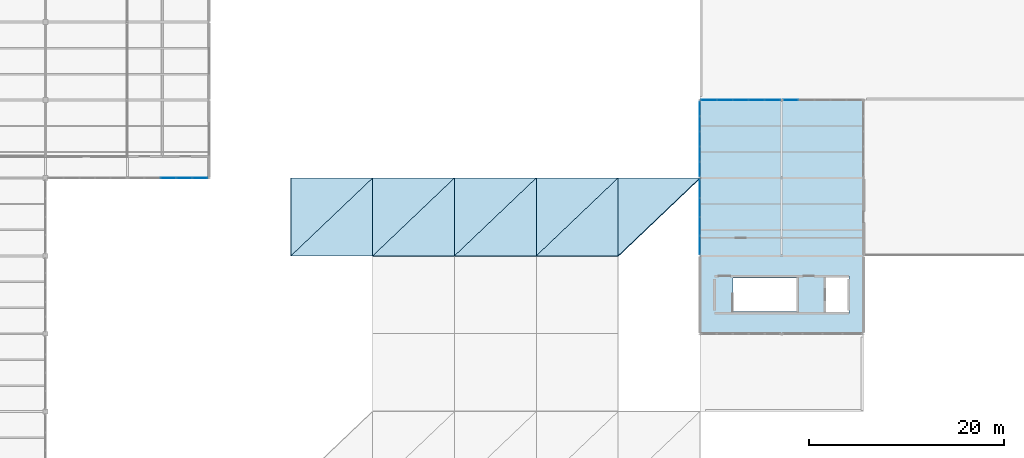
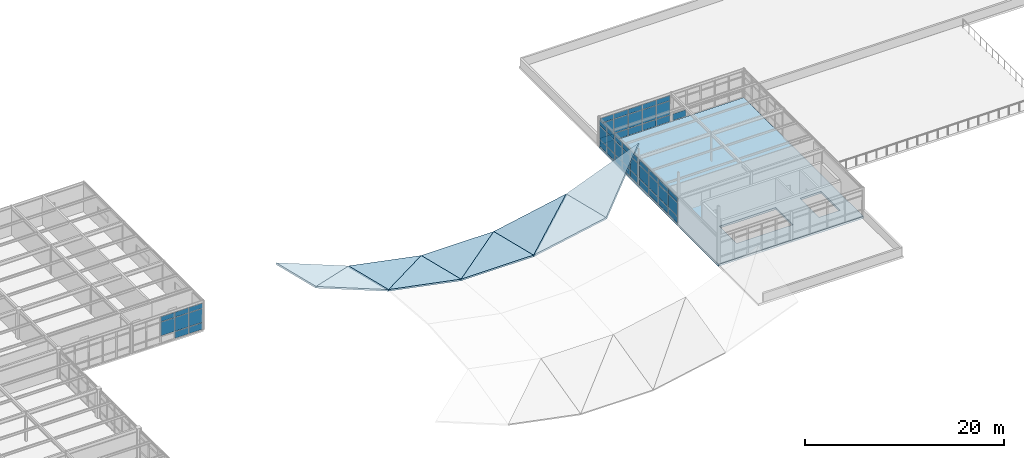
# One storey, part 21 of 32: 51 plates, 10 slabs, 5 elements without a shape of their own.
"""IFC4 building model written with IfcOpenShell, lengths in metres."""

from ifc_helpers import new_model, si_unit, direction, frame, origin, origin_2d, place, context, subcontext, project, spatial, polyline, rectangle, outline, extrude, material, layer, layer_set, type_object, element, aggregate, save


model = new_model("IFC4")

# Units and contexts
model_context = context("Model", 3, precision=1e-05, world=origin(), true_north=direction((0.0, 1.0)))
body_context = subcontext(model_context, "Body", "Model", "MODEL_VIEW")
ifc_project = project(units=[si_unit("LENGTHUNIT", "METRE"), si_unit("AREAUNIT", "SQUARE_METRE"), si_unit("VOLUMEUNIT", "CUBIC_METRE"), si_unit("PLANEANGLEUNIT", "RADIAN"), si_unit("MASSUNIT", "GRAM", prefix="KILO")], contexts=[model_context])

# Site, building, storey
site_placement = place(None, origin())
site = spatial("IfcSite", under=ifc_project, at=site_placement, CompositionType="ELEMENT")
building_placement = place(site_placement, origin())
building = spatial("IfcBuilding", under=site, at=building_placement, Name="Kranzveld Transit Interchange", CompositionType="ELEMENT")
storey_placement = place(building_placement, frame((0.0, 0.0, 17.199951171875)))
storey = spatial("IfcBuildingStorey", under=building, at=storey_placement, Name="L04", CompositionType="ELEMENT", Elevation=17.199951171875)

# Slab
ifc_material_1 = material(Name="Concrete C35/45", Category="concrete")
ifc_layer_1 = layer(ifc_material_1, 0.260009765625)
ifc_layer_set_1 = layer_set([ifc_layer_1], Name="Concrete C35/45")
slab_type_1 = type_object("IfcSlabType", Name="Composite Floor Slab 260 C35/45", PredefinedType="FLOOR", material=ifc_layer_set_1)
slab_1_placement = place(storey_placement, frame((0.0, 0.0, -0.260009765625)))
element("IfcSlab", 1, at=slab_1_placement, inside=storey, type_object=slab_type_1, Name="L04 Suspended Floor Slab 2", PredefinedType="FLOOR", context=body_context, shape_type="SweptSolid", body=[
    extrude(outline(polyline([(117.60009765625, 96.0), (117.60009765625, 72.0), (100.800048828125, 72.0), (100.800048828125, 96.0), (117.60009765625, 96.0)]), holes=[polyline([(110.75, 77.72998046875), (104.218017578125, 77.72998046875), (104.218017578125, 74.27001953125), (110.75, 74.27001953125), (110.75, 77.72998046875)]), polyline([(113.64990234375, 74.090087890625), (116.10009765625, 74.090087890625), (116.10009765625, 77.909912109375), (113.64990234375, 77.909912109375), (113.64990234375, 74.090087890625)])]), origin(), (0.0, 0.0, 1.0), 0.260009765625),
])

# Curtain wall, plates
ifc_material_2 = material(Name="Bronze-anodised thermally broken aluminium", Category="aluminium")
ifc_layer_2 = layer(ifc_material_2, 0.1650390625)
ifc_layer_set_2 = layer_set([ifc_layer_2], Name="Bronze-anodised thermally broken aluminium")
curtain_wall_type_1 = type_object("IfcCurtainWallType", Name="Sunny Court Arcade Curtain Wall CW-2", PredefinedType="USERDEFINED", material=ifc_layer_set_2)
curtain_wall_1_placement = place(storey_placement, origin())
curtain_wall_1 = element("IfcCurtainWall", 2, at=curtain_wall_1_placement, inside=storey, type_object=curtain_wall_type_1, Name="L04 Curtain Wall 13/M-13/N", ObjectType="CURTAIN WALL", PredefinedType="USERDEFINED")
ifc_material_3 = material(Name="Solar-control double glazing", Category="glass")
ifc_layer_3 = layer(ifc_material_3, 0.02392578125)
ifc_layer_set_3 = layer_set([ifc_layer_3], Name="Solar-control double glazing")
plate_type_1 = type_object("IfcPlateType", Name="Curtain Panel Clear Glazing 24", PredefinedType="CURTAIN_PANEL", material=ifc_layer_set_3)
plate_1_placement = place(storey_placement, frame((100.800048828125, 88.900146484375, 0.06005859375), z_axis=(0.0, 0.0, 1.0), x_axis=(0.0, 1.0, 0.0)))
plate_1 = element("IfcPlate", 3, at=plate_1_placement, type_object=plate_type_1, Name="CW-2 panel 1.1", PredefinedType="CURTAIN_PANEL", context=body_context, shape_type="SweptSolid", body=[
    extrude(rectangle(XDim=1.460693359375, YDim=0.02392578125, at=origin_2d()), origin(), (0.0, 0.0, 1.0), 0.81005859375),
])
plate_2_placement = place(storey_placement, frame((100.800048828125, 88.900146484375, 0.93017578125), z_axis=(0.0, 0.0, 1.0), x_axis=(0.0, 1.0, 0.0)))
plate_2 = element("IfcPlate", 4, at=plate_2_placement, type_object=plate_type_1, Name="CW-2 panel 1.2", PredefinedType="CURTAIN_PANEL", context=body_context, shape_type="SweptSolid", body=[
    extrude(rectangle(XDim=1.460693359375, YDim=0.02392578125, at=origin_2d()), origin(), (0.0, 0.0, 1.0), 1.6298828125),
])
plate_3_placement = place(storey_placement, frame((100.800048828125, 88.900146484375, 2.6201171875), z_axis=(0.0, 0.0, 1.0), x_axis=(0.0, 1.0, 0.0)))
plate_3 = element("IfcPlate", 5, at=plate_3_placement, type_object=plate_type_1, Name="CW-2 panel 1.3", PredefinedType="CURTAIN_PANEL", context=body_context, shape_type="SweptSolid", body=[
    extrude(rectangle(XDim=1.460693359375, YDim=0.02392578125, at=origin_2d()), origin(), (0.0, 0.0, 1.0), 0.610107421875),
])
plate_4_placement = place(storey_placement, frame((100.800048828125, 90.44189453125, 0.06005859375), z_axis=(0.0, 0.0, 1.0), x_axis=(0.0, 1.0, 0.0)))
plate_4 = element("IfcPlate", 6, at=plate_4_placement, type_object=plate_type_1, Name="CW-2 panel 2.1", PredefinedType="CURTAIN_PANEL", context=body_context, shape_type="SweptSolid", body=[
    extrude(rectangle(XDim=1.4931640625, YDim=0.02392578125, at=origin_2d()), origin(), (0.0, 0.0, 1.0), 0.81005859375),
])
plate_5_placement = place(storey_placement, frame((100.800048828125, 90.44189453125, 0.93017578125), z_axis=(0.0, 0.0, 1.0), x_axis=(0.0, 1.0, 0.0)))
plate_5 = element("IfcPlate", 7, at=plate_5_placement, type_object=plate_type_1, Name="CW-2 panel 2.2", PredefinedType="CURTAIN_PANEL", context=body_context, shape_type="SweptSolid", body=[
    extrude(rectangle(XDim=1.4931640625, YDim=0.02392578125, at=origin_2d()), origin(), (0.0, 0.0, 1.0), 1.6298828125),
])
plate_6_placement = place(storey_placement, frame((100.800048828125, 90.44189453125, 2.6201171875), z_axis=(0.0, 0.0, 1.0), x_axis=(0.0, 1.0, 0.0)))
plate_6 = element("IfcPlate", 8, at=plate_6_placement, type_object=plate_type_1, Name="CW-2 panel 2.3", PredefinedType="CURTAIN_PANEL", context=body_context, shape_type="SweptSolid", body=[
    extrude(rectangle(XDim=1.4931640625, YDim=0.02392578125, at=origin_2d()), origin(), (0.0, 0.0, 1.0), 0.610107421875),
])
plate_7_placement = place(storey_placement, frame((100.800048828125, 92.0, 0.06005859375), z_axis=(0.0, 0.0, 1.0), x_axis=(0.0, 1.0, 0.0)))
plate_7 = element("IfcPlate", 9, at=plate_7_placement, type_object=plate_type_1, Name="CW-2 panel 3.1", PredefinedType="CURTAIN_PANEL", context=body_context, shape_type="SweptSolid", body=[
    extrude(rectangle(XDim=1.4931640625, YDim=0.02392578125, at=origin_2d()), origin(), (0.0, 0.0, 1.0), 0.81005859375),
])
plate_8_placement = place(storey_placement, frame((100.800048828125, 92.0, 0.93017578125), z_axis=(0.0, 0.0, 1.0), x_axis=(0.0, 1.0, 0.0)))
plate_8 = element("IfcPlate", 10, at=plate_8_placement, type_object=plate_type_1, Name="CW-2 panel 3.2", PredefinedType="CURTAIN_PANEL", context=body_context, shape_type="SweptSolid", body=[
    extrude(rectangle(XDim=1.4931640625, YDim=0.02392578125, at=origin_2d()), origin(), (0.0, 0.0, 1.0), 1.6298828125),
])
plate_9_placement = place(storey_placement, frame((100.800048828125, 92.0, 2.6201171875), z_axis=(0.0, 0.0, 1.0), x_axis=(0.0, 1.0, 0.0)))
plate_9 = element("IfcPlate", 11, at=plate_9_placement, type_object=plate_type_1, Name="CW-2 panel 3.3", PredefinedType="CURTAIN_PANEL", context=body_context, shape_type="SweptSolid", body=[
    extrude(rectangle(XDim=1.4931640625, YDim=0.02392578125, at=origin_2d()), origin(), (0.0, 0.0, 1.0), 0.610107421875),
])
plate_10_placement = place(storey_placement, frame((100.800048828125, 93.55810546875, 0.06005859375), z_axis=(0.0, 0.0, 1.0), x_axis=(0.0, 1.0, 0.0)))
plate_10 = element("IfcPlate", 12, at=plate_10_placement, type_object=plate_type_1, Name="CW-2 panel 4.1", PredefinedType="CURTAIN_PANEL", context=body_context, shape_type="SweptSolid", body=[
    extrude(rectangle(XDim=1.4931640625, YDim=0.02392578125, at=origin_2d()), origin(), (0.0, 0.0, 1.0), 0.81005859375),
])
plate_11_placement = place(storey_placement, frame((100.800048828125, 93.55810546875, 0.93017578125), z_axis=(0.0, 0.0, 1.0), x_axis=(0.0, 1.0, 0.0)))
plate_11 = element("IfcPlate", 13, at=plate_11_placement, type_object=plate_type_1, Name="CW-2 panel 4.2", PredefinedType="CURTAIN_PANEL", context=body_context, shape_type="SweptSolid", body=[
    extrude(rectangle(XDim=1.4931640625, YDim=0.02392578125, at=origin_2d()), origin(), (0.0, 0.0, 1.0), 1.6298828125),
])
plate_12_placement = place(storey_placement, frame((100.800048828125, 93.55810546875, 2.6201171875), z_axis=(0.0, 0.0, 1.0), x_axis=(0.0, 1.0, 0.0)))
plate_12 = element("IfcPlate", 14, at=plate_12_placement, type_object=plate_type_1, Name="CW-2 panel 4.3", PredefinedType="CURTAIN_PANEL", context=body_context, shape_type="SweptSolid", body=[
    extrude(rectangle(XDim=1.4931640625, YDim=0.02392578125, at=origin_2d()), origin(), (0.0, 0.0, 1.0), 0.610107421875),
])
plate_13_placement = place(storey_placement, frame((100.800048828125, 95.099853515625, 0.06005859375), z_axis=(0.0, 0.0, 1.0), x_axis=(0.0, 1.0, 0.0)))
plate_13 = element("IfcPlate", 15, at=plate_13_placement, type_object=plate_type_1, Name="CW-2 panel 5.1", PredefinedType="CURTAIN_PANEL", context=body_context, shape_type="SweptSolid", body=[
    extrude(rectangle(XDim=1.460693359375, YDim=0.02392578125, at=origin_2d()), origin(), (0.0, 0.0, 1.0), 0.81005859375),
])
plate_14_placement = place(storey_placement, frame((100.800048828125, 95.099853515625, 0.93017578125), z_axis=(0.0, 0.0, 1.0), x_axis=(0.0, 1.0, 0.0)))
plate_14 = element("IfcPlate", 16, at=plate_14_placement, type_object=plate_type_1, Name="CW-2 panel 5.2", PredefinedType="CURTAIN_PANEL", context=body_context, shape_type="SweptSolid", body=[
    extrude(rectangle(XDim=1.460693359375, YDim=0.02392578125, at=origin_2d()), origin(), (0.0, 0.0, 1.0), 1.6298828125),
])
plate_15_placement = place(storey_placement, frame((100.800048828125, 95.099853515625, 2.6201171875), z_axis=(0.0, 0.0, 1.0), x_axis=(0.0, 1.0, 0.0)))
plate_15 = element("IfcPlate", 17, at=plate_15_placement, type_object=plate_type_1, Name="CW-2 panel 5.3", PredefinedType="CURTAIN_PANEL", context=body_context, shape_type="SweptSolid", body=[
    extrude(rectangle(XDim=1.460693359375, YDim=0.02392578125, at=origin_2d()), origin(), (0.0, 0.0, 1.0), 0.610107421875),
])
aggregate(curtain_wall_1, [plate_1, plate_2, plate_3, plate_4, plate_5, plate_6, plate_7, plate_8, plate_9, plate_10, plate_11, plate_12, plate_13, plate_14, plate_15])

ifc_material_4 = material(Name="Bronze-anodised thermally broken aluminium", Category="aluminium")
ifc_layer_4 = layer(ifc_material_4, 0.179931640625)
ifc_layer_set_4 = layer_set([ifc_layer_4], Name="Bronze-anodised thermally broken aluminium")
curtain_wall_type_2 = type_object("IfcCurtainWallType", Name="Concourse Unitised Curtain Wall CW-1", PredefinedType="USERDEFINED", material=ifc_layer_set_4)
curtain_wall_2_placement = place(storey_placement, origin())
curtain_wall_2 = element("IfcCurtainWall", 18, at=curtain_wall_2_placement, inside=storey, type_object=curtain_wall_type_2, Name="L04 Curtain Wall 13/L-13/M", ObjectType="CURTAIN WALL", PredefinedType="USERDEFINED")
ifc_material_5 = material(Name="Solar-control double glazing", Category="glass")
ifc_layer_5 = layer(ifc_material_5, 0.028076171875)
ifc_layer_set_5 = layer_set([ifc_layer_5], Name="Solar-control double glazing")
plate_type_2 = type_object("IfcPlateType", Name="Curtain Panel Double Glazing 28", PredefinedType="CURTAIN_PANEL", material=ifc_layer_set_5)
plate_16_placement = place(storey_placement, frame((100.800048828125, 81.094970703125, 0.06494140625), z_axis=(0.0, 0.0, 1.0), x_axis=(0.0, 1.0, 0.0)))
plate_16 = element("IfcPlate", 19, at=plate_16_placement, type_object=plate_type_2, Name="CW-1 panel 1.1", PredefinedType="CURTAIN_PANEL", context=body_context, shape_type="SweptSolid", body=[
    extrude(rectangle(XDim=1.85009765625, YDim=0.028076171875, at=origin_2d()), origin(), (0.0, 0.0, 1.0), 0.802490234375),
])
plate_17_placement = place(storey_placement, frame((100.800048828125, 81.094970703125, 0.9326171875), z_axis=(0.0, 0.0, 1.0), x_axis=(0.0, 1.0, 0.0)))
plate_17 = element("IfcPlate", 20, at=plate_17_placement, type_object=plate_type_2, Name="CW-1 panel 1.2", PredefinedType="CURTAIN_PANEL", context=body_context, shape_type="SweptSolid", body=[
    extrude(rectangle(XDim=1.85009765625, YDim=0.028076171875, at=origin_2d()), origin(), (0.0, 0.0, 1.0), 1.625),
])
plate_18_placement = place(storey_placement, frame((100.800048828125, 81.094970703125, 2.62255859375), z_axis=(0.0, 0.0, 1.0), x_axis=(0.0, 1.0, 0.0)))
plate_18 = element("IfcPlate", 21, at=plate_18_placement, type_object=plate_type_2, Name="CW-1 panel 1.3", PredefinedType="CURTAIN_PANEL", context=body_context, shape_type="SweptSolid", body=[
    extrude(rectangle(XDim=1.85009765625, YDim=0.028076171875, at=origin_2d()), origin(), (0.0, 0.0, 1.0), 0.6025390625),
])
plate_19_placement = place(storey_placement, frame((100.800048828125, 83.026123046875, 0.06494140625), z_axis=(0.0, 0.0, 1.0), x_axis=(0.0, 1.0, 0.0)))
plate_19 = element("IfcPlate", 22, at=plate_19_placement, type_object=plate_type_2, Name="CW-1 panel 2.1", PredefinedType="CURTAIN_PANEL", context=body_context, shape_type="SweptSolid", body=[
    extrude(rectangle(XDim=1.882568359375, YDim=0.028076171875, at=origin_2d()), origin(), (0.0, 0.0, 1.0), 0.802490234375),
])
plate_20_placement = place(storey_placement, frame((100.800048828125, 83.026123046875, 0.9326171875), z_axis=(0.0, 0.0, 1.0), x_axis=(0.0, 1.0, 0.0)))
plate_20 = element("IfcPlate", 23, at=plate_20_placement, type_object=plate_type_2, Name="CW-1 panel 2.2", PredefinedType="CURTAIN_PANEL", context=body_context, shape_type="SweptSolid", body=[
    extrude(rectangle(XDim=1.882568359375, YDim=0.028076171875, at=origin_2d()), origin(), (0.0, 0.0, 1.0), 1.625),
])
plate_21_placement = place(storey_placement, frame((100.800048828125, 83.026123046875, 2.62255859375), z_axis=(0.0, 0.0, 1.0), x_axis=(0.0, 1.0, 0.0)))
plate_21 = element("IfcPlate", 24, at=plate_21_placement, type_object=plate_type_2, Name="CW-1 panel 2.3", PredefinedType="CURTAIN_PANEL", context=body_context, shape_type="SweptSolid", body=[
    extrude(rectangle(XDim=1.882568359375, YDim=0.028076171875, at=origin_2d()), origin(), (0.0, 0.0, 1.0), 0.6025390625),
])
plate_22_placement = place(storey_placement, frame((100.800048828125, 84.973876953125, 0.06494140625), z_axis=(0.0, 0.0, 1.0), x_axis=(0.0, 1.0, 0.0)))
plate_22 = element("IfcPlate", 25, at=plate_22_placement, type_object=plate_type_2, Name="CW-1 panel 3.1", PredefinedType="CURTAIN_PANEL", context=body_context, shape_type="SweptSolid", body=[
    extrude(rectangle(XDim=1.882568359375, YDim=0.028076171875, at=origin_2d()), origin(), (0.0, 0.0, 1.0), 0.802490234375),
])
plate_23_placement = place(storey_placement, frame((100.800048828125, 84.973876953125, 0.9326171875), z_axis=(0.0, 0.0, 1.0), x_axis=(0.0, 1.0, 0.0)))
plate_23 = element("IfcPlate", 26, at=plate_23_placement, type_object=plate_type_2, Name="CW-1 panel 3.2", PredefinedType="CURTAIN_PANEL", context=body_context, shape_type="SweptSolid", body=[
    extrude(rectangle(XDim=1.882568359375, YDim=0.028076171875, at=origin_2d()), origin(), (0.0, 0.0, 1.0), 1.625),
])
plate_24_placement = place(storey_placement, frame((100.800048828125, 84.973876953125, 2.62255859375), z_axis=(0.0, 0.0, 1.0), x_axis=(0.0, 1.0, 0.0)))
plate_24 = element("IfcPlate", 27, at=plate_24_placement, type_object=plate_type_2, Name="CW-1 panel 3.3", PredefinedType="CURTAIN_PANEL", context=body_context, shape_type="SweptSolid", body=[
    extrude(rectangle(XDim=1.882568359375, YDim=0.028076171875, at=origin_2d()), origin(), (0.0, 0.0, 1.0), 0.6025390625),
])
plate_25_placement = place(storey_placement, frame((100.800048828125, 86.905029296875, 0.06494140625), z_axis=(0.0, 0.0, 1.0), x_axis=(0.0, 1.0, 0.0)))
plate_25 = element("IfcPlate", 28, at=plate_25_placement, type_object=plate_type_2, Name="CW-1 panel 4.1", PredefinedType="CURTAIN_PANEL", context=body_context, shape_type="SweptSolid", body=[
    extrude(rectangle(XDim=1.85009765625, YDim=0.028076171875, at=origin_2d()), origin(), (0.0, 0.0, 1.0), 0.802490234375),
])
plate_26_placement = place(storey_placement, frame((100.800048828125, 86.905029296875, 0.9326171875), z_axis=(0.0, 0.0, 1.0), x_axis=(0.0, 1.0, 0.0)))
plate_26 = element("IfcPlate", 29, at=plate_26_placement, type_object=plate_type_2, Name="CW-1 panel 4.2", PredefinedType="CURTAIN_PANEL", context=body_context, shape_type="SweptSolid", body=[
    extrude(rectangle(XDim=1.85009765625, YDim=0.028076171875, at=origin_2d()), origin(), (0.0, 0.0, 1.0), 1.625),
])
plate_27_placement = place(storey_placement, frame((100.800048828125, 86.905029296875, 2.62255859375), z_axis=(0.0, 0.0, 1.0), x_axis=(0.0, 1.0, 0.0)))
plate_27 = element("IfcPlate", 30, at=plate_27_placement, type_object=plate_type_2, Name="CW-1 panel 4.3", PredefinedType="CURTAIN_PANEL", context=body_context, shape_type="SweptSolid", body=[
    extrude(rectangle(XDim=1.85009765625, YDim=0.028076171875, at=origin_2d()), origin(), (0.0, 0.0, 1.0), 0.6025390625),
])
aggregate(curtain_wall_2, [plate_16, plate_17, plate_18, plate_19, plate_20, plate_21, plate_22, plate_23, plate_24, plate_25, plate_26, plate_27])

ifc_material_6 = material(Name="Bronze-anodised thermally broken aluminium", Category="aluminium")
ifc_layer_6 = layer(ifc_material_6, 0.14990234375)
ifc_layer_set_6 = layer_set([ifc_layer_6], Name="Bronze-anodised thermally broken aluminium")
curtain_wall_type_3 = type_object("IfcCurtainWallType", Name="Public Passage Clerestory Screen CW-4", PredefinedType="USERDEFINED", material=ifc_layer_set_6)
curtain_wall_3_placement = place(storey_placement, origin())
curtain_wall_3 = element("IfcCurtainWall", 31, at=curtain_wall_3_placement, inside=storey, type_object=curtain_wall_type_3, Name="L04 Curtain Wall 13/N-14/N", ObjectType="CURTAIN WALL", PredefinedType="USERDEFINED")
ifc_material_7 = material(Name="Solar-control double glazing", Category="glass")
ifc_layer_7 = layer(ifc_material_7, 0.0419921875)
ifc_layer_set_7 = layer_set([ifc_layer_7], Name="Solar-control double glazing")
plate_type_3 = type_object("IfcPlateType", Name="Curtain Panel Laminated Glazing 42", PredefinedType="CURTAIN_PANEL", material=ifc_layer_set_7)
plate_28_placement = place(storey_placement, frame((101.7373046875, 96.0, 0.06005859375), z_axis=(0.0, 0.0, 1.0), x_axis=(1.0, 0.0, 0.0)))
plate_28 = element("IfcPlate", 32, at=plate_28_placement, type_object=plate_type_3, Name="CW-4 panel 1.1", PredefinedType="CURTAIN_PANEL", context=body_context, shape_type="SweptSolid", body=[
    extrude(rectangle(XDim=1.548828125, YDim=0.0419921875, at=origin_2d()), origin(), (0.0, 0.0, 1.0), 0.81005859375),
])
plate_29_placement = place(storey_placement, frame((101.7373046875, 96.0, 0.93017578125), z_axis=(0.0, 0.0, 1.0), x_axis=(1.0, 0.0, 0.0)))
plate_29 = element("IfcPlate", 33, at=plate_29_placement, type_object=plate_type_3, Name="CW-4 panel 1.2", PredefinedType="CURTAIN_PANEL", context=body_context, shape_type="SweptSolid", body=[
    extrude(rectangle(XDim=1.548828125, YDim=0.0419921875, at=origin_2d()), origin(), (0.0, 0.0, 1.0), 1.669921875),
])
plate_30_placement = place(storey_placement, frame((101.7373046875, 96.0, 2.66015625), z_axis=(0.0, 0.0, 1.0), x_axis=(1.0, 0.0, 0.0)))
plate_30 = element("IfcPlate", 34, at=plate_30_placement, type_object=plate_type_3, Name="CW-4 panel 1.3", PredefinedType="CURTAIN_PANEL", context=body_context, shape_type="SweptSolid", body=[
    extrude(rectangle(XDim=1.548828125, YDim=0.0419921875, at=origin_2d()), origin(), (0.0, 0.0, 1.0), 0.610107421875),
])
plate_31_placement = place(storey_placement, frame((103.361083984375, 96.0, 0.06005859375), z_axis=(0.0, 0.0, 1.0), x_axis=(1.0, 0.0, 0.0)))
plate_31 = element("IfcPlate", 35, at=plate_31_placement, type_object=plate_type_3, Name="CW-4 panel 2.1", PredefinedType="CURTAIN_PANEL", context=body_context, shape_type="SweptSolid", body=[
    extrude(rectangle(XDim=1.578857421875, YDim=0.0419921875, at=origin_2d()), origin(), (0.0, 0.0, 1.0), 0.81005859375),
])
plate_32_placement = place(storey_placement, frame((103.361083984375, 96.0, 0.93017578125), z_axis=(0.0, 0.0, 1.0), x_axis=(1.0, 0.0, 0.0)))
plate_32 = element("IfcPlate", 36, at=plate_32_placement, type_object=plate_type_3, Name="CW-4 panel 2.2", PredefinedType="CURTAIN_PANEL", context=body_context, shape_type="SweptSolid", body=[
    extrude(rectangle(XDim=1.578857421875, YDim=0.0419921875, at=origin_2d()), origin(), (0.0, 0.0, 1.0), 1.669921875),
])
plate_33_placement = place(storey_placement, frame((103.361083984375, 96.0, 2.66015625), z_axis=(0.0, 0.0, 1.0), x_axis=(1.0, 0.0, 0.0)))
plate_33 = element("IfcPlate", 37, at=plate_33_placement, type_object=plate_type_3, Name="CW-4 panel 2.3", PredefinedType="CURTAIN_PANEL", context=body_context, shape_type="SweptSolid", body=[
    extrude(rectangle(XDim=1.578857421875, YDim=0.0419921875, at=origin_2d()), origin(), (0.0, 0.0, 1.0), 0.610107421875),
])
plate_34_placement = place(storey_placement, frame((105.0, 96.0, 0.06005859375), z_axis=(0.0, 0.0, 1.0), x_axis=(1.0, 0.0, 0.0)))
plate_34 = element("IfcPlate", 38, at=plate_34_placement, type_object=plate_type_3, Name="CW-4 panel 3.1", PredefinedType="CURTAIN_PANEL", context=body_context, shape_type="SweptSolid", body=[
    extrude(rectangle(XDim=1.578857421875, YDim=0.0419921875, at=origin_2d()), origin(), (0.0, 0.0, 1.0), 0.81005859375),
])
plate_35_placement = place(storey_placement, frame((105.0, 96.0, 0.93017578125), z_axis=(0.0, 0.0, 1.0), x_axis=(1.0, 0.0, 0.0)))
plate_35 = element("IfcPlate", 39, at=plate_35_placement, type_object=plate_type_3, Name="CW-4 panel 3.2", PredefinedType="CURTAIN_PANEL", context=body_context, shape_type="SweptSolid", body=[
    extrude(rectangle(XDim=1.578857421875, YDim=0.0419921875, at=origin_2d()), origin(), (0.0, 0.0, 1.0), 1.669921875),
])
plate_36_placement = place(storey_placement, frame((105.0, 96.0, 2.66015625), z_axis=(0.0, 0.0, 1.0), x_axis=(1.0, 0.0, 0.0)))
plate_36 = element("IfcPlate", 40, at=plate_36_placement, type_object=plate_type_3, Name="CW-4 panel 3.3", PredefinedType="CURTAIN_PANEL", context=body_context, shape_type="SweptSolid", body=[
    extrude(rectangle(XDim=1.578857421875, YDim=0.0419921875, at=origin_2d()), origin(), (0.0, 0.0, 1.0), 0.610107421875),
])
plate_37_placement = place(storey_placement, frame((106.638916015625, 96.0, 0.06005859375), z_axis=(0.0, 0.0, 1.0), x_axis=(1.0, 0.0, 0.0)))
plate_37 = element("IfcPlate", 41, at=plate_37_placement, type_object=plate_type_3, Name="CW-4 panel 4.1", PredefinedType="CURTAIN_PANEL", context=body_context, shape_type="SweptSolid", body=[
    extrude(rectangle(XDim=1.578857421875, YDim=0.0419921875, at=origin_2d()), origin(), (0.0, 0.0, 1.0), 0.81005859375),
])
plate_38_placement = place(storey_placement, frame((106.638916015625, 96.0, 0.93017578125), z_axis=(0.0, 0.0, 1.0), x_axis=(1.0, 0.0, 0.0)))
plate_38 = element("IfcPlate", 42, at=plate_38_placement, type_object=plate_type_3, Name="CW-4 panel 4.2", PredefinedType="CURTAIN_PANEL", context=body_context, shape_type="SweptSolid", body=[
    extrude(rectangle(XDim=1.578857421875, YDim=0.0419921875, at=origin_2d()), origin(), (0.0, 0.0, 1.0), 1.669921875),
])
plate_39_placement = place(storey_placement, frame((106.638916015625, 96.0, 2.66015625), z_axis=(0.0, 0.0, 1.0), x_axis=(1.0, 0.0, 0.0)))
plate_39 = element("IfcPlate", 43, at=plate_39_placement, type_object=plate_type_3, Name="CW-4 panel 4.3", PredefinedType="CURTAIN_PANEL", context=body_context, shape_type="SweptSolid", body=[
    extrude(rectangle(XDim=1.578857421875, YDim=0.0419921875, at=origin_2d()), origin(), (0.0, 0.0, 1.0), 0.610107421875),
])
plate_40_placement = place(storey_placement, frame((108.2626953125, 96.0, 0.06005859375), z_axis=(0.0, 0.0, 1.0), x_axis=(1.0, 0.0, 0.0)))
plate_40 = element("IfcPlate", 44, at=plate_40_placement, type_object=plate_type_3, Name="CW-4 panel 5.1", PredefinedType="CURTAIN_PANEL", context=body_context, shape_type="SweptSolid", body=[
    extrude(rectangle(XDim=1.548828125, YDim=0.0419921875, at=origin_2d()), origin(), (0.0, 0.0, 1.0), 0.81005859375),
])
plate_41_placement = place(storey_placement, frame((108.2626953125, 96.0, 0.93017578125), z_axis=(0.0, 0.0, 1.0), x_axis=(1.0, 0.0, 0.0)))
plate_41 = element("IfcPlate", 45, at=plate_41_placement, type_object=plate_type_3, Name="CW-4 panel 5.2", PredefinedType="CURTAIN_PANEL", context=body_context, shape_type="SweptSolid", body=[
    extrude(rectangle(XDim=1.548828125, YDim=0.0419921875, at=origin_2d()), origin(), (0.0, 0.0, 1.0), 1.669921875),
])
plate_42_placement = place(storey_placement, frame((108.2626953125, 96.0, 2.66015625), z_axis=(0.0, 0.0, 1.0), x_axis=(1.0, 0.0, 0.0)))
plate_42 = element("IfcPlate", 46, at=plate_42_placement, type_object=plate_type_3, Name="CW-4 panel 5.3", PredefinedType="CURTAIN_PANEL", context=body_context, shape_type="SweptSolid", body=[
    extrude(rectangle(XDim=1.548828125, YDim=0.0419921875, at=origin_2d()), origin(), (0.0, 0.0, 1.0), 0.610107421875),
])
aggregate(curtain_wall_3, [plate_28, plate_29, plate_30, plate_31, plate_32, plate_33, plate_34, plate_35, plate_36, plate_37, plate_38, plate_39, plate_40, plate_41, plate_42])

# Curtain wall, plate
ifc_material_8 = material(Name="Bronze-anodised thermally broken aluminium", Category="aluminium")
ifc_layer_8 = layer(ifc_material_8, 0.18505859375)
ifc_layer_set_8 = layer_set([ifc_layer_8], Name="Bronze-anodised thermally broken aluminium")
curtain_wall_type_4 = type_object("IfcCurtainWallType", Name="Control Crown Observation Facade CW-5", PredefinedType="USERDEFINED", material=ifc_layer_set_8)
curtain_wall_4_placement = place(storey_placement, origin())
curtain_wall_4 = element("IfcCurtainWall", 47, at=curtain_wall_4_placement, inside=storey, type_object=curtain_wall_type_4, Name="L04 Curtain Wall 14/N-15/N", ObjectType="CURTAIN WALL", PredefinedType="USERDEFINED")
ifc_material_9 = material(Name="Solar-control double glazing", Category="glass")
ifc_layer_9 = layer(ifc_material_9, 0.035888671875)
ifc_layer_set_9 = layer_set([ifc_layer_9], Name="Solar-control double glazing")
plate_type_4 = type_object("IfcPlateType", Name="Curtain Panel Triple Glazing 36", PredefinedType="CURTAIN_PANEL", material=ifc_layer_set_9)
plate_43_placement = place(storey_placement, frame((110.138671875, 96.0, 0.06494140625), z_axis=(0.0, 0.0, 1.0), x_axis=(1.0, 0.0, 0.0)))
plate_43 = element("IfcPlate", 48, at=plate_43_placement, type_object=plate_type_4, Name="CW-5 panel 1.1", PredefinedType="CURTAIN_PANEL", context=body_context, shape_type="SweptSolid", body=[
    extrude(rectangle(XDim=1.541259765625, YDim=0.035888671875, at=origin_2d()), origin(), (0.0, 0.0, 1.0), 0.802490234375),
])
aggregate(curtain_wall_4, [plate_43])

# Curtain wall, plates
curtain_wall_5_placement = place(storey_placement, origin())
curtain_wall_5 = element("IfcCurtainWall", 49, at=curtain_wall_5_placement, inside=storey, type_object=curtain_wall_type_1, Name="L04 Curtain Wall 06/M-07/M", ObjectType="CURTAIN WALL", PredefinedType="USERDEFINED")
ifc_material_10 = material(Name="Pretoria red-purple clinker clay face brick, 35 MPa", Category="masonry")
ifc_layer_10 = layer(ifc_material_10, 0.050048828125)
ifc_layer_set_10 = layer_set([ifc_layer_10], Name="Pretoria red-purple clinker clay face brick, 35 MPa")
plate_type_5 = type_object("IfcPlateType", Name="Curtain Spandrel Clinker Tile 50", PredefinedType="CURTAIN_PANEL", material=ifc_layer_set_10)
plate_44_placement = place(storey_placement, frame((46.199951171875, 88.0, 0.93017578125), z_axis=(0.0, 0.0, 1.0), x_axis=(1.0, 0.0, 0.0)))
plate_44 = element("IfcPlate", 50, at=plate_44_placement, type_object=plate_type_5, Name="CW-2 panel 3.2", PredefinedType="CURTAIN_PANEL", context=body_context, shape_type="SweptSolid", body=[
    extrude(rectangle(XDim=1.57373046875, YDim=0.050048828125, at=origin_2d()), origin(), (0.0, 0.0, 1.0), 1.669921875),
])
plate_45_placement = place(storey_placement, frame((46.199951171875, 88.0, 2.66015625), z_axis=(0.0, 0.0, 1.0), x_axis=(1.0, 0.0, 0.0)))
plate_45 = element("IfcPlate", 51, at=plate_45_placement, type_object=plate_type_5, Name="CW-2 panel 3.3", PredefinedType="CURTAIN_PANEL", context=body_context, shape_type="SweptSolid", body=[
    extrude(rectangle(XDim=1.57373046875, YDim=0.050048828125, at=origin_2d()), origin(), (0.0, 0.0, 1.0), 0.610107421875),
])
plate_46_placement = place(storey_placement, frame((47.8388671875, 88.0, 0.06005859375), z_axis=(0.0, 0.0, 1.0), x_axis=(1.0, 0.0, 0.0)))
plate_46 = element("IfcPlate", 52, at=plate_46_placement, type_object=plate_type_5, Name="CW-2 panel 4.1", PredefinedType="CURTAIN_PANEL", context=body_context, shape_type="SweptSolid", body=[
    extrude(rectangle(XDim=1.57373046875, YDim=0.050048828125, at=origin_2d()), origin(), (0.0, 0.0, 1.0), 0.81005859375),
])
plate_47_placement = place(storey_placement, frame((47.8388671875, 88.0, 0.93017578125), z_axis=(0.0, 0.0, 1.0), x_axis=(1.0, 0.0, 0.0)))
plate_47 = element("IfcPlate", 53, at=plate_47_placement, type_object=plate_type_5, Name="CW-2 panel 4.2", PredefinedType="CURTAIN_PANEL", context=body_context, shape_type="SweptSolid", body=[
    extrude(rectangle(XDim=1.57373046875, YDim=0.050048828125, at=origin_2d()), origin(), (0.0, 0.0, 1.0), 1.669921875),
])
plate_48_placement = place(storey_placement, frame((47.8388671875, 88.0, 2.66015625), z_axis=(0.0, 0.0, 1.0), x_axis=(1.0, 0.0, 0.0)))
plate_48 = element("IfcPlate", 54, at=plate_48_placement, type_object=plate_type_5, Name="CW-2 panel 4.3", PredefinedType="CURTAIN_PANEL", context=body_context, shape_type="SweptSolid", body=[
    extrude(rectangle(XDim=1.57373046875, YDim=0.050048828125, at=origin_2d()), origin(), (0.0, 0.0, 1.0), 0.610107421875),
])
plate_49_placement = place(storey_placement, frame((49.46142578125, 88.0, 0.06005859375), z_axis=(0.0, 0.0, 1.0), x_axis=(1.0, 0.0, 0.0)))
plate_49 = element("IfcPlate", 55, at=plate_49_placement, type_object=plate_type_5, Name="CW-2 panel 5.1", PredefinedType="CURTAIN_PANEL", context=body_context, shape_type="SweptSolid", body=[
    extrude(rectangle(XDim=1.541259765625, YDim=0.050048828125, at=origin_2d()), origin(), (0.0, 0.0, 1.0), 0.81005859375),
])
plate_50_placement = place(storey_placement, frame((49.46142578125, 88.0, 0.93017578125), z_axis=(0.0, 0.0, 1.0), x_axis=(1.0, 0.0, 0.0)))
plate_50 = element("IfcPlate", 56, at=plate_50_placement, type_object=plate_type_5, Name="CW-2 panel 5.2", PredefinedType="CURTAIN_PANEL", context=body_context, shape_type="SweptSolid", body=[
    extrude(rectangle(XDim=1.541259765625, YDim=0.050048828125, at=origin_2d()), origin(), (0.0, 0.0, 1.0), 1.669921875),
])
plate_51_placement = place(storey_placement, frame((49.46142578125, 88.0, 2.66015625), z_axis=(0.0, 0.0, 1.0), x_axis=(1.0, 0.0, 0.0)))
plate_51 = element("IfcPlate", 57, at=plate_51_placement, type_object=plate_type_5, Name="CW-2 panel 5.3", PredefinedType="CURTAIN_PANEL", context=body_context, shape_type="SweptSolid", body=[
    extrude(rectangle(XDim=1.541259765625, YDim=0.050048828125, at=origin_2d()), origin(), (0.0, 0.0, 1.0), 0.610107421875),
])
aggregate(curtain_wall_5, [plate_44, plate_45, plate_46, plate_47, plate_48, plate_49, plate_50, plate_51])

# Slabs
ifc_material_11 = material(Name="Concrete C35/45", Category="concrete")
ifc_layer_11 = layer(ifc_material_11, 0.179931640625)
ifc_layer_set_11 = layer_set([ifc_layer_11], Name="Concrete C35/45")
slab_type_2 = type_object("IfcSlabType", Name="Saddle Hypar Composite Roof Deck 180 C35/45", PredefinedType="ROOF", material=ifc_layer_set_11)
slab_2_placement = place(storey_placement, frame((58.800048828125, 80.0, 7.150146484375), z_axis=(0.359243038431, 0.221002261592, 0.906698648786), x_axis=(0.929686738301, 0.0, -0.368351148536)))
element("IfcSlab", 58, at=slab_2_placement, inside=storey, type_object=slab_type_2, Name="Concourse Saddle Roof Facet 08/L-1", PredefinedType="ROOF", context=body_context, shape_type="SweptSolid", body=[
    extrude(outline(polyline([(0.0, 0.0), (9.035196478226787, 0.0), (9.75346323197536, 8.202828929287517), (0.0, 0.0)])), origin(), (0.0, 0.0, -1.0), 0.179931640625),
])
slab_3_placement = place(storey_placement, frame((58.800048828125, 80.0, 7.150146484375), z_axis=(0.359217889317, 0.221030672555, 0.906701687318), x_axis=(0.659112022705, 0.627733033773, -0.414152845982)))
element("IfcSlab", 59, at=slab_3_placement, inside=storey, type_object=slab_type_2, Name="Concourse Saddle Roof Facet 08/L-2", PredefinedType="ROOF", context=body_context, shape_type="SweptSolid", body=[
    extrude(outline(polyline([(0.0, 0.0), (12.744271162394947, 8.326672684688674e-16), (5.8295432090796115, 5.815469691295001), (0.0, 0.0)])), origin(), (0.0, 0.0, -1.0), 0.179931640625),
])
slab_4_placement = place(storey_placement, frame((67.199951171875, 80.0, 3.822021484375), z_axis=(0.188995832027, 0.232542963009, 0.954046301723), x_axis=(0.980937602639, 0.0, -0.19432297787)))
element("IfcSlab", 60, at=slab_4_placement, inside=storey, type_object=slab_type_2, Name="Concourse Saddle Roof Facet 09/L-1", PredefinedType="ROOF", context=body_context, shape_type="SweptSolid", body=[
    extrude(outline(polyline([(0.0, 0.0), (8.563385134563546, 0.0), (8.942305452984286, 8.225492627495608), (0.0, 0.0)])), origin(), (0.0, 0.0, -1.0), 0.179931640625),
])
slab_5_placement = place(storey_placement, frame((67.199951171875, 80.0, 3.822021484375), z_axis=(0.188995832027, 0.232542963009, 0.954046301723), x_axis=(0.691367608731, 0.658433859474, -0.29744862127)))
element("IfcSlab", 61, at=slab_5_placement, inside=storey, type_object=slab_type_2, Name="Concourse Saddle Roof Facet 09/L-2", PredefinedType="ROOF", context=body_context, shape_type="SweptSolid", body=[
    extrude(outline(polyline([(0.0, 0.0), (12.150043447636602, 1.0547118733938987e-15), (5.847481163408092, 5.79735056868948), (0.0, 0.0)])), origin(), (0.0, 0.0, -1.0), 0.179931640625),
])
slab_6_placement = place(storey_placement, frame((75.60009765625, 80.0, 2.157958984375), z_axis=(0.0, 0.236810793292, 0.971555787477), x_axis=(1.0, 0.0, 0.0)))
element("IfcSlab", 62, at=slab_6_placement, inside=storey, type_object=slab_type_2, Name="Concourse Saddle Roof Facet 10/L-1", PredefinedType="ROOF", context=body_context, shape_type="SweptSolid", body=[
    extrude(outline(polyline([(0.0, 0.0), (8.39990234375, 0.0), (8.39990234375, 8.234215783709868), (0.0, 0.0)])), origin(), (0.0, 0.0, -1.0), 0.179931640625),
])
slab_7_placement = place(storey_placement, frame((75.60009765625, 80.0, 2.157958984375), z_axis=(0.0, 0.236810793292, 0.971555787477), x_axis=(0.714114597056, 0.68011704692, -0.165774379082)))
element("IfcSlab", 63, at=slab_7_placement, inside=storey, type_object=slab_type_2, Name="Concourse Saddle Roof Facet 10/L-2", PredefinedType="ROOF", context=body_context, shape_type="SweptSolid", body=[
    extrude(outline(polyline([(0.0, 0.0), (11.762681197636594, -3.885780586188048e-16), (5.7641883201187, 5.880173686457217), (0.0, 0.0)])), origin(), (0.0, 0.0, -1.0), 0.179931640625),
])
slab_8_placement = place(storey_placement, frame((84.0, 80.0, 2.157958984375), z_axis=(-0.189001128915, 0.232542721585, 0.954045311244), x_axis=(0.980936526023, 0.0, 0.194328412526)))
element("IfcSlab", 64, at=slab_8_placement, inside=storey, type_object=slab_type_2, Name="Concourse Saddle Roof Facet 11/L-1", PredefinedType="ROOF", context=body_context, shape_type="SweptSolid", body=[
    extrude(outline(polyline([(0.0, 0.0), (8.563145647975572, 0.0), (8.184214732241895, 8.2254921393068), (0.0, 0.0)])), origin(), (0.0, 0.0, -1.0), 0.179931640625),
])
slab_9_placement = place(storey_placement, frame((84.0, 80.0, 2.157958984375), z_axis=(-0.189001128915, 0.232542721585, 0.954045311244), x_axis=(0.723914103286, 0.689450018499, -0.024638243764)))
element("IfcSlab", 65, at=slab_9_placement, inside=storey, type_object=slab_type_2, Name="Concourse Saddle Roof Facet 11/L-2", PredefinedType="ROOF", context=body_context, shape_type="SweptSolid", body=[
    extrude(outline(polyline([(0.0, 0.0), (11.60345171564234, 4.579669976578771e-16), (5.563643520291469, 6.070270204184937), (0.0, 0.0)])), origin(), (0.0, 0.0, -1.0), 0.179931640625),
])
slab_10_placement = place(storey_placement, frame((92.39990234375, 80.0, 3.822021484375), z_axis=(-0.359210993012, 0.221005182638, 0.906710632863), x_axis=(0.719088501315, 0.684834249167, 0.117956680368)))
element("IfcSlab", 66, at=slab_10_placement, inside=storey, type_object=slab_type_2, Name="Concourse Saddle Roof Facet 12/L-2", PredefinedType="ROOF", context=body_context, shape_type="SweptSolid", body=[
    extrude(outline(polyline([(0.0, 0.0), (11.681658751335426, 3.3306690738754696e-16), (5.248664226224622, 6.344590878303077), (0.0, 0.0)])), origin(), (0.0, 0.0, -1.0), 0.179931640625),
])

save(model, "model.ifc")
